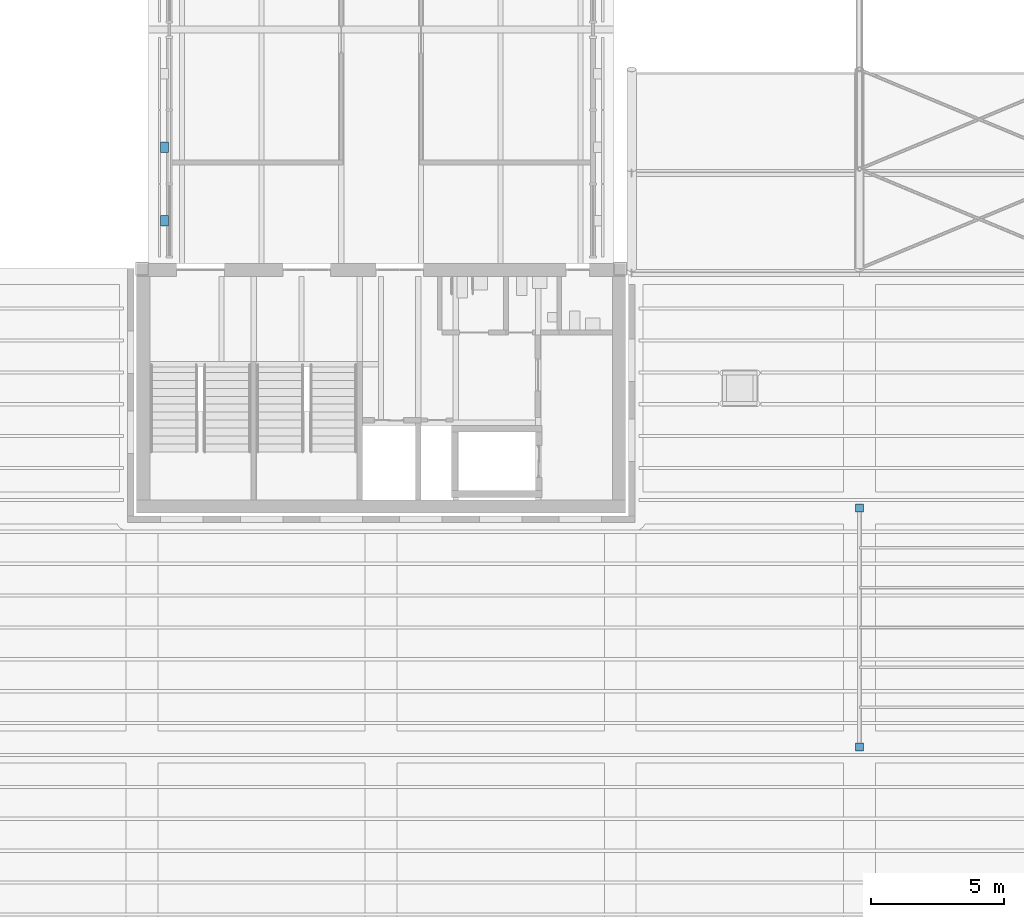
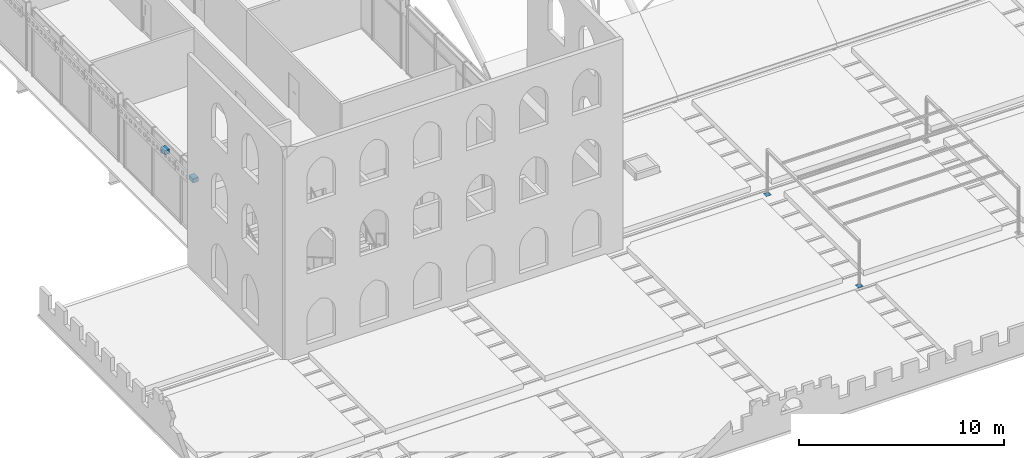
# One storey, part 115 of 153: 4 discrete accessories.
"""IFC4 building model written with IfcOpenShell, lengths in metres."""

import ifcopenshell
import ifcopenshell.guid

model = None  # the IFC model being written
_history = None  # IfcOwnerHistory: only IFC2X3 demands one
_inside = {}  # id of a spatial element -> (the spatial element, [elements in it])
_under = {}  # id of a project, library or spatial element -> (it, [spatial elements below it])
_declared = {}  # id of a project -> (the project, [libraries it declares])
_typed = {}  # id of a type object -> (the type object, [elements of that type])
_made_of = {}  # id of a material, layer set ... -> (it, [elements and type objects made of it])


def new_model(schema):
    """Start an empty IFC model of exactly this schema.

    Asked for "IFC4X3", IfcOpenShell would pick the latest addendum, in which some entities
    have other attributes; the version numbers below select the first issue.
    IFC2X3 requires an IfcOwnerHistory on every rooted entity: one is made here for all.
    """
    global model, _history
    if schema == "IFC4X3":
        model = ifcopenshell.file(schema_version=(4, 3, 0, 0))
    else:
        model = ifcopenshell.file(schema=schema)
    _inside.clear()
    _under.clear()
    _declared.clear()
    _typed.clear()
    _made_of.clear()
    _history = None
    if model.schema == "IFC2X3":
        org = make("IfcOrganization", Name="unknown")
        user = make(
            "IfcPersonAndOrganization",
            ThePerson=make("IfcPerson", FamilyName="unknown"),
            TheOrganization=org,
        )
        app = make(
            "IfcApplication",
            ApplicationDeveloper=org,
            Version="unknown",
            ApplicationFullName="unknown",
            ApplicationIdentifier="unknown",
        )
        _history = make(
            "IfcOwnerHistory",
            OwningUser=user,
            OwningApplication=app,
            ChangeAction="ADDED",
            CreationDate=0,
        )
    return model


def make(cls, **values):
    """One entity of the class cls with the attributes given. An attribute that is None is left unset."""
    return model.create_entity(
        cls, **{name: value for name, value in values.items() if value is not None}
    )


def rooted(cls, **values):
    """An entity with a GlobalId (a new one), such as an element, a storey or a relation."""
    return make(cls, GlobalId=ifcopenshell.guid.new(), OwnerHistory=_history, **values)


def si_unit(unit_type, name, prefix=None):
    """IfcSIUnit, for example si_unit("LENGTHUNIT", "METRE", prefix="MILLI")."""
    return make("IfcSIUnit", UnitType=unit_type, Prefix=prefix, Name=name)


def assignment(units):
    """IfcUnitAssignment: the units of a project."""
    return None if units is None else make("IfcUnitAssignment", Units=units)


def point(xyz):
    """IfcCartesianPoint."""
    return None if xyz is None else make("IfcCartesianPoint", Coordinates=xyz)


def direction(xyz):
    """IfcDirection."""
    return None if xyz is None else make("IfcDirection", DirectionRatios=xyz)


def frame(location, z_axis=None, x_axis=None):
    """IfcAxis2Placement3D, a coordinate frame: its origin and axes. An axis left out is left unset."""
    return make(
        "IfcAxis2Placement3D",
        Location=point(location),
        Axis=direction(z_axis),
        RefDirection=direction(x_axis),
    )


def frame_2d(location, x_axis=None):
    """IfcAxis2Placement2D, a coordinate frame in the plane: its origin and x axis."""
    return make(
        "IfcAxis2Placement2D", Location=point(location), RefDirection=direction(x_axis)
    )


def origin():
    """The frame at (0, 0, 0) with its axes left unset."""
    return frame((0.0, 0.0, 0.0))


def origin_2d():
    """The frame at (0, 0) in the plane with its x axis left unset."""
    return frame_2d((0.0, 0.0))


def place(relative_to, where):
    """IfcLocalPlacement: puts the frame where relative to a parent placement (None: the world)."""
    return make(
        "IfcLocalPlacement", PlacementRelTo=relative_to, RelativePlacement=where
    )


def context(
    kind, dimensions, precision=None, world=None, true_north=None, identifier=None
):
    """IfcGeometricRepresentationContext, for example the 3D "Model" context."""
    return make(
        "IfcGeometricRepresentationContext",
        ContextIdentifier=identifier,
        ContextType=kind,
        CoordinateSpaceDimension=dimensions,
        Precision=precision,
        WorldCoordinateSystem=world,
        TrueNorth=true_north,
    )


def subcontext(parent, identifier, kind, view, scale=None):
    """IfcGeometricRepresentationSubContext, for example "Body" below "Model"."""
    return make(
        "IfcGeometricRepresentationSubContext",
        ContextIdentifier=identifier,
        ContextType=kind,
        ParentContext=parent,
        TargetScale=scale,
        TargetView=view,
    )


def project(units=None, contexts=None):
    """IfcProject with its units and contexts."""
    return rooted(
        "IfcProject",
        Name="project",
        RepresentationContexts=contexts,
        UnitsInContext=assignment(units),
    )


def spatial(cls, under=None, at=None, **own):
    """A site, building, storey or space (cls), placed at a placement, below another one or the project."""
    s = rooted(cls, ObjectPlacement=at, **own)
    if under is not None:
        _under.setdefault(under.id(), (under, []))[1].append(s)
    return s


def profile(cls, at=None, kind="AREA", **sizes):
    """A parametric profile (cls). Its sizes go by their IFC names, for example OverallWidth=200.0."""
    return make(cls, ProfileType=kind, Position=at, **sizes)


def rectangle(**sizes):
    """IfcRectangleProfileDef."""
    return profile("IfcRectangleProfileDef", **sizes)


def extrude(swept, where, along, depth):
    """IfcExtrudedAreaSolid: the profile swept, set in the frame where, extruded along a direction by depth."""
    return make(
        "IfcExtrudedAreaSolid",
        SweptArea=swept,
        Position=where,
        ExtrudedDirection=direction(along),
        Depth=depth,
    )


def shape(context_of_items, identifier, shape_type, items):
    """IfcShapeRepresentation: the items that make up one representation, for example the "Body"."""
    return make(
        "IfcShapeRepresentation",
        ContextOfItems=context_of_items,
        RepresentationIdentifier=identifier,
        RepresentationType=shape_type,
        Items=items,
    )


def material(Name=None, Category=None):
    """IfcMaterial."""
    return make("IfcMaterial", Name=Name, Category=Category)


def made_of(thing, what):
    """Note that an element or type object is made of a material, layer set ...; save() writes the relation."""
    if what is not None:
        _made_of.setdefault(what.id(), (what, []))[1].append(thing)
    return thing


def type_object(cls, material=None, **own):
    """A type object (cls), such as IfcWallType, which elements share."""
    return made_of(rooted(cls, **own), material)


def element(
    cls,
    number,
    at=None,
    inside=None,
    cuts=None,
    type_object=None,
    material=None,
    context=None,
    identifier="Body",
    shape_type=None,
    held_by="IfcProductDefinitionShape",
    body=None,
    shapes=None,
    **own,
):
    """One element of the class cls, such as IfcWall. Its Tag is "e" and its number.

    at: its placement. inside: the storey or other place that contains it. cuts: it is an
    opening in that element (IfcRelVoidsElement). A single representation is given by context,
    identifier, shape_type and body (its items); several are given by shapes. held_by: the class
    of the entity that holds the representations. save() writes the other relations.
    """
    e = rooted(cls, Tag="e%d" % number, ObjectPlacement=at, **own)
    if body is not None:
        shapes = [shape(context, identifier, shape_type, body)]
    if shapes is not None:
        e.Representation = make(held_by, Representations=shapes)
    if inside is not None:
        _inside.setdefault(inside.id(), (inside, []))[1].append(e)
    if cuts is not None:
        rooted(
            "IfcRelVoidsElement", RelatingBuildingElement=cuts, RelatedOpeningElement=e
        )
    if type_object is not None:
        _typed.setdefault(type_object.id(), (type_object, []))[1].append(e)
    return made_of(e, material)


def aggregate(whole, parts):
    """IfcRelAggregates: a whole, such as a stair, and the parts it consists of."""
    return rooted("IfcRelAggregates", RelatingObject=whole, RelatedObjects=parts)


def save(model, path):
    """Write the relations noted so far, then the file.

    IfcRelAggregates (storeys below a building ...), IfcRelContainedInSpatialStructure (elements
    in a storey), IfcRelDefinesByType, IfcRelAssociatesMaterial and IfcRelDeclares: one each for
    every whole, place, type object, material and project.
    """
    for whole, parts in _under.values():
        aggregate(whole, parts)
    for where, things in _inside.values():
        rooted(
            "IfcRelContainedInSpatialStructure",
            RelatedElements=things,
            RelatingStructure=where,
        )
    for kind, things in _typed.values():
        rooted("IfcRelDefinesByType", RelatedObjects=things, RelatingType=kind)
    for what, things in _made_of.values():
        rooted("IfcRelAssociatesMaterial", RelatedObjects=things, RelatingMaterial=what)
    for by, libraries in _declared.values():
        rooted("IfcRelDeclares", RelatingContext=by, RelatedDefinitions=libraries)
    model.write(path)


model = new_model("IFC4")

# Units and contexts
model_context = context("Model", 3, precision=1e-05, world=origin(), true_north=direction((0.0, 1.0)))
body_context = subcontext(model_context, "Body", "Model", "MODEL_VIEW")
ifc_project = project(units=[si_unit("LENGTHUNIT", "METRE"), si_unit("AREAUNIT", "SQUARE_METRE"), si_unit("VOLUMEUNIT", "CUBIC_METRE"), si_unit("PLANEANGLEUNIT", "RADIAN"), si_unit("MASSUNIT", "GRAM", prefix="KILO")], contexts=[model_context])

# Site, building, storey
site_placement = place(None, origin())
site = spatial("IfcSite", under=ifc_project, at=site_placement, CompositionType="ELEMENT")
building_placement = place(site_placement, origin())
building = spatial("IfcBuilding", under=site, at=building_placement, Name="Baradari Gate Terminus", CompositionType="ELEMENT")
storey_placement = place(building_placement, frame((0.0, 0.0, 11.699951171875)))
storey = spatial("IfcBuildingStorey", under=building, at=storey_placement, Name="L02", CompositionType="ELEMENT", Elevation=11.699951171875)

# Discrete accessories
ifc_material_1 = material(Name="Stainless steel 316", Category="steel")
discrete_accessory_type_1 = type_object("IfcDiscreteAccessoryType", Name="Jali screen bracket BK-2 stainless steel", PredefinedType="BRACKET", material=ifc_material_1)
for number, where, z_axis, x_axis, name in (
    (1, (72.8525390625, 37.811767578125, 3.455078125), (0.0, 0.0, 1.0), (-1.0, 0.0, 0.0), "Jali screen bracket BK-2 L02/GW1 bay 1"),
    (2, (72.8525390625, 40.574951171875, 3.455078125), (0.0, 0.0, 1.0), (-1.0, 0.0, 0.0), "Jali screen bracket BK-2 L02/GW1 bay 2"),
):
    element("IfcDiscreteAccessory", number, at=place(storey_placement, frame(where, z_axis=z_axis, x_axis=x_axis)), inside=storey, type_object=discrete_accessory_type_1, Name=name, PredefinedType="BRACKET", context=body_context, shape_type="SweptSolid", body=[
        extrude(rectangle(XDim=0.304931640625, YDim=0.39990234375, at=origin_2d()), origin(), (0.0, 0.0, 1.0), 0.25),
    ])
ifc_material_2 = material(Name="Steel S355", Category="steel")
discrete_accessory_type_2 = type_object("IfcDiscreteAccessoryType", Name="Pergola base plate PGP-1 300x300x12", PredefinedType="BRACKET", material=ifc_material_2)
for number, where, z_axis, x_axis, name in (
    (3, (99.0, 18.0, 0.0), (0.0, 0.0, 1.0), (1.0, 0.0, 0.0), "Pergola base plate S1"),
    (4, (99.0, 27.0, 0.0), (0.0, 0.0, 1.0), (1.0, 0.0, 0.0), "Pergola base plate S1"),
):
    element("IfcDiscreteAccessory", number, at=place(storey_placement, frame(where, z_axis=z_axis, x_axis=x_axis)), inside=storey, type_object=discrete_accessory_type_2, Name=name, PredefinedType="BRACKET", context=body_context, shape_type="SweptSolid", body=[
        extrude(rectangle(XDim=0.300048828125, YDim=0.300048828125, at=origin_2d()), origin(), (0.0, 0.0, 1.0), 0.011962890625),
    ])

save(model, "model.ifc")
